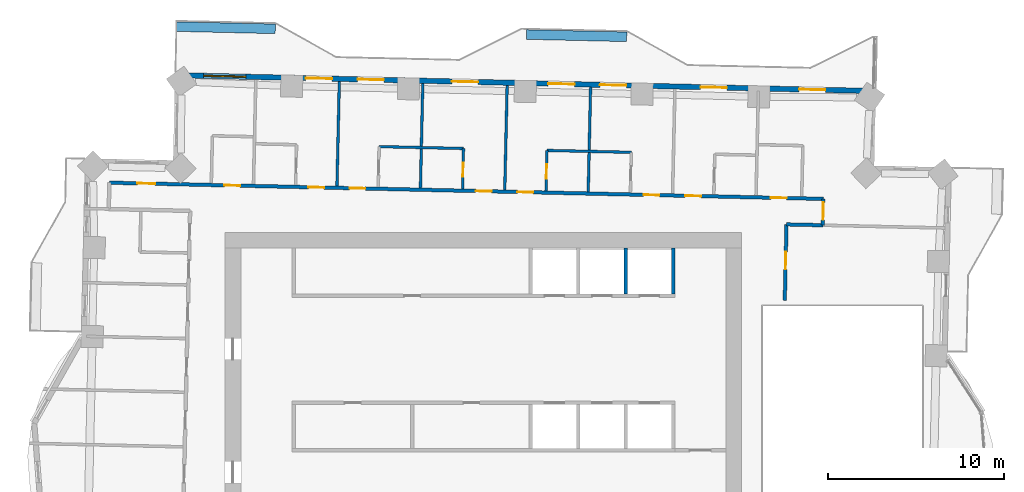
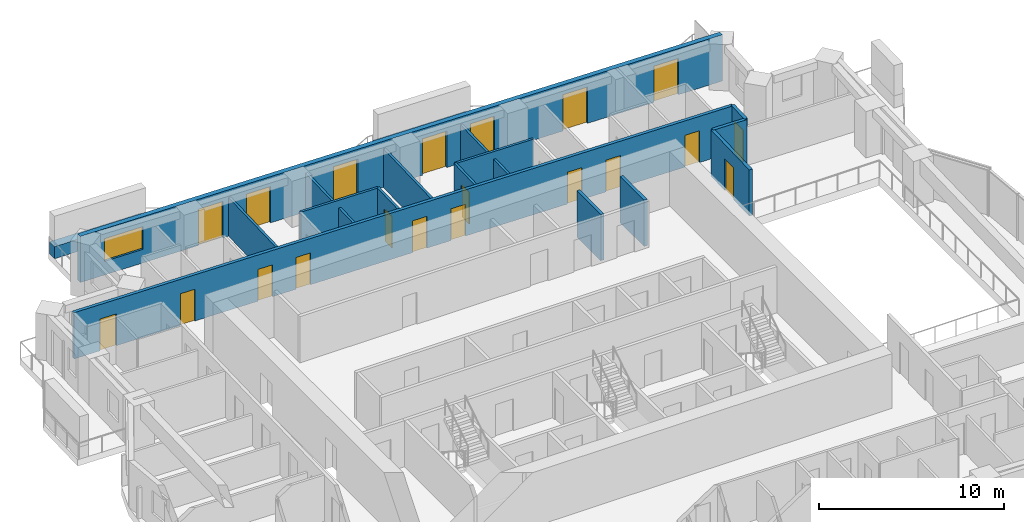
# One storey, part 9 of 14: 20 doors, 17 walls, 1 window, 21 openings.
"""IFC4 building model written with IfcOpenShell, lengths in metres."""

from ifc_helpers import new_model, si_unit, direction, frame, frame_2d, origin, place, context, subcontext, project, spatial, rectangle, extrude, material, layer, layer_set, type_object, element, fill, save


model = new_model("IFC4")

# Units and contexts
model_context = context("Model", 3, precision=1e-05, world=origin(), true_north=direction((0.0, 1.0)))
body_context = subcontext(model_context, "Body", "Model", "MODEL_VIEW")
ifc_project = project(units=[si_unit("LENGTHUNIT", "METRE"), si_unit("AREAUNIT", "SQUARE_METRE"), si_unit("VOLUMEUNIT", "CUBIC_METRE"), si_unit("PLANEANGLEUNIT", "RADIAN"), si_unit("MASSUNIT", "GRAM", prefix="KILO")], contexts=[model_context])

# Site, building, storey
site_placement = place(None, origin())
site = spatial("IfcSite", under=ifc_project, at=site_placement, CompositionType="ELEMENT")
building_placement = place(site_placement, origin())
building = spatial("IfcBuilding", under=site, at=building_placement, Name="Mangrove Gate Tower", CompositionType="ELEMENT")
storey_placement = place(building_placement, frame((0.0, 0.0, 152.699951171875)))
storey = spatial("IfcBuildingStorey", under=building, at=storey_placement, Name="L38", CompositionType="ELEMENT", Elevation=152.699951171875)

# Walls
ifc_material_1 = material(Name="Concrete C60/75", Category="concrete")
ifc_layer_1 = layer(ifc_material_1, 0.199951171875)
ifc_layer_set_1 = layer_set([ifc_layer_1], Name="Core shaft wall 200 C60/75")
wall_type_1 = type_object("IfcWallType", Name="Core shaft wall 200 C60/75", PredefinedType="SHEAR", material=ifc_layer_set_1)
for number, where, z_axis, x_axis, name in (
    (1, (8.10009765625, 8.199951171875, 0.0), (0.0, 0.0, 1.0), (0.0, 1.0, 0.0), "WALL-L38-CORE-28"),
    (2, (10.800048828125, 8.199951171875, 0.0), (0.0, 0.0, 1.0), (0.0, 1.0, 0.0), "WALL-L38-CORE-29"),
):
    element("IfcWall", number, at=place(storey_placement, frame(where, z_axis=z_axis, x_axis=x_axis)), inside=storey, type_object=wall_type_1, Name=name, PredefinedType="SHEAR", context=body_context, shape_type="SweptSolid", body=[
        extrude(rectangle(XDim=2.60009765625, YDim=0.199951171875, at=frame_2d((1.300048828125, 0.0))), origin(), (0.0, 0.0, 1.0), 3.050048828125),
    ])

# Wall, opening, door
ifc_material_2 = material(Name="Gypsum board on steel stud, EI 60", Category="steel")
ifc_layer_2 = layer(ifc_material_2, 0.199951171875)
ifc_layer_set_2 = layer_set([ifc_layer_2], Name="Corridor wall EI 60")
wall_type_2 = type_object("IfcWallType", Name="Corridor wall EI 60", PredefinedType="PARTITIONING", material=ifc_layer_set_2)
wall_1_placement = place(storey_placement, frame((17.14892578125, 7.83203125, 0.0), z_axis=(0.0, 0.0, 1.0), x_axis=(0.022729111383, 0.999741660378, 0.0)))
wall_1 = element("IfcWall", 3, at=wall_1_placement, inside=storey, type_object=wall_type_2, Name="WALL-L38-048", PredefinedType="PARTITIONING", context=body_context, shape_type="SweptSolid", body=[
    extrude(rectangle(XDim=4.318115234375, YDim=0.199951171875, at=frame_2d((2.1591796875, 0.0))), origin(), (0.0, 0.0, 1.0), 3.050048828125),
])
opening_1_placement = place(wall_1_placement, frame((1.760986328125, 0.0, 0.0)))
opening_1 = element("IfcOpeningElement", 4, at=opening_1_placement, cuts=wall_1, Name="Opening AD", PredefinedType="OPENING", context=body_context, shape_type="SweptSolid", body=[
    extrude(rectangle(XDim=1.0, YDim=2.10009765625, at=frame_2d((0.5, 1.050048828125))), frame((0.0, 0.10986328125, 0.0), z_axis=(0.0, -1.0, 0.0), x_axis=(1.0, 0.0, 0.0)), (0.0, 0.0, 1.0), 0.219970703125),
])
ifc_material_3 = material(Name="Timber door leaf", Category="wood")
door_type_1 = type_object("IfcDoorType", Name="Amenity door 1000", OperationType="SINGLE_SWING_LEFT", PredefinedType="DOOR", material=ifc_material_3)
door_1_placement = place(opening_1_placement, origin())
door_1 = element("IfcDoor", 5, at=door_1_placement, inside=storey, type_object=door_type_1, Name="DOOR-L38-LNG-c3a", OperationType="SINGLE_SWING_RIGHT", OverallHeight=2.10009765625, OverallWidth=1.0, PredefinedType="DOOR", context=body_context, shape_type="SweptSolid", body=[
    extrude(rectangle(XDim=1.0, YDim=2.10009765625, at=frame_2d((0.5, 1.050048828125))), frame((0.0, 0.02490234375, 0.0), z_axis=(0.0, -1.0, 0.0), x_axis=(1.0, 0.0, 0.0)), (0.0, 0.0, 1.0), 0.050048828125),
])
fill(opening_1, door_1)

# Wall
wall_2_placement = place(storey_placement, frame((17.248046875, 12.14892578125, 0.0), z_axis=(0.0, 0.0, 1.0), x_axis=(0.999742931749, -0.02267312106, 0.0)))
element("IfcWall", 6, at=wall_2_placement, inside=storey, type_object=wall_type_2, Name="WALL-L38-054", PredefinedType="PARTITIONING", context=body_context, shape_type="SweptSolid", body=[
    extrude(rectangle(XDim=2.0673828125, YDim=0.199951171875, at=frame_2d((1.03369140625, 0.0))), origin(), (0.0, 0.0, 1.0), 3.050048828125),
])

# Wall, opening, door
wall_3_placement = place(storey_placement, frame((19.31689453125, 12.10205078125, 0.0), z_axis=(0.0, 0.0, 1.0), x_axis=(0.02279537805, 0.999740151609, 0.0)))
wall_3 = element("IfcWall", 7, at=wall_3_placement, inside=storey, type_object=wall_type_2, Name="WALL-L38-056", PredefinedType="PARTITIONING", context=body_context, shape_type="SweptSolid", body=[
    extrude(rectangle(XDim=1.49951171875, YDim=0.199951171875, at=frame_2d((0.749755859375, 0.0))), origin(), (0.0, 0.0, 1.0), 3.050048828125),
])
opening_2_placement = place(wall_3_placement, frame((0.300048828125, 0.0, 0.0)))
opening_2 = element("IfcOpeningElement", 8, at=opening_2_placement, cuts=wall_3, Name="Opening AD", PredefinedType="OPENING", context=body_context, shape_type="SweptSolid", body=[
    extrude(rectangle(XDim=1.0, YDim=2.10009765625, at=frame_2d((0.5, 1.050048828125))), frame((0.0, 0.10986328125, 0.0), z_axis=(0.0, -1.0, 0.0), x_axis=(1.0, 0.0, 0.0)), (0.0, 0.0, 1.0), 0.219970703125),
])
door_2_placement = place(opening_2_placement, origin())
door_2 = element("IfcDoor", 9, at=door_2_placement, inside=storey, type_object=door_type_1, Name="DOOR-L38-GAM-c3a", OperationType="SINGLE_SWING_LEFT", OverallHeight=2.10009765625, OverallWidth=1.0, PredefinedType="DOOR", context=body_context, shape_type="SweptSolid", body=[
    extrude(rectangle(XDim=1.0, YDim=2.10009765625, at=frame_2d((0.5, 1.050048828125))), frame((0.0, 0.02490234375, 0.0), z_axis=(0.0, -1.0, 0.0), x_axis=(1.0, 0.0, 0.0)), (0.0, 0.0, 1.0), 0.050048828125),
])
fill(opening_2, door_2)

# Wall, openings, doors
wall_4_placement = place(storey_placement, frame((-21.279052734375, 14.52294921875, 0.0), z_axis=(0.0, 0.0, 1.0), x_axis=(0.999742669174, -0.02268469602, 0.0)))
wall_4 = element("IfcWall", 10, at=wall_4_placement, inside=storey, type_object=wall_type_2, Name="WALL-L38-057", PredefinedType="PARTITIONING", context=body_context, shape_type="SweptSolid", body=[
    extrude(rectangle(XDim=40.638671875, YDim=0.199951171875, at=frame_2d((20.3193359375, 0.0))), origin(), (0.0, 0.0, 1.0), 3.050048828125),
])
opening_3_placement = place(wall_4_placement, frame((37.64990234375, 0.0, 0.0)))
opening_3 = element("IfcOpeningElement", 11, at=opening_3_placement, cuts=wall_4, Name="Opening SD", PredefinedType="OPENING", context=body_context, shape_type="SweptSolid", body=[
    extrude(rectangle(XDim=0.89990234375, YDim=2.10009765625, at=frame_2d((0.449951171875, 1.050048828125))), frame((0.0, 0.10986328125, 0.0), z_axis=(0.0, -1.0, 0.0), x_axis=(1.0, 0.0, 0.0)), (0.0, 0.0, 1.0), 0.219970703125),
])
opening_4_placement = place(wall_4_placement, frame((32.77490234375, 0.0, 0.0)))
opening_4 = element("IfcOpeningElement", 12, at=opening_4_placement, cuts=wall_4, Name="Opening BD", PredefinedType="OPENING", context=body_context, shape_type="SweptSolid", body=[
    extrude(rectangle(XDim=0.89990234375, YDim=2.10009765625, at=frame_2d((0.449951171875, 1.050048828125))), frame((0.0, 0.10986328125, 0.0), z_axis=(0.0, -1.0, 0.0), x_axis=(1.0, 0.0, 0.0)), (0.0, 0.0, 1.0), 0.219970703125),
])
opening_5_placement = place(wall_4_placement, frame((30.39990234375, 0.0, 0.0)))
opening_5 = element("IfcOpeningElement", 13, at=opening_5_placement, cuts=wall_4, Name="Opening BD", PredefinedType="OPENING", context=body_context, shape_type="SweptSolid", body=[
    extrude(rectangle(XDim=0.89990234375, YDim=2.10009765625, at=frame_2d((0.449951171875, 1.050048828125))), frame((0.0, 0.10986328125, 0.0), z_axis=(0.0, -1.0, 0.0), x_axis=(1.0, 0.0, 0.0)), (0.0, 0.0, 1.0), 0.219970703125),
])
opening_6_placement = place(wall_4_placement, frame((23.22509765625, 0.0, 0.0)))
opening_6 = element("IfcOpeningElement", 14, at=opening_6_placement, cuts=wall_4, Name="Opening BD", PredefinedType="OPENING", context=body_context, shape_type="SweptSolid", body=[
    extrude(rectangle(XDim=0.89990234375, YDim=2.10009765625, at=frame_2d((0.449951171875, 1.050048828125))), frame((0.0, 0.10986328125, 0.0), z_axis=(0.0, -1.0, 0.0), x_axis=(1.0, 0.0, 0.0)), (0.0, 0.0, 1.0), 0.219970703125),
])
opening_7_placement = place(wall_4_placement, frame((20.85009765625, 0.0, 0.0)))
opening_7 = element("IfcOpeningElement", 15, at=opening_7_placement, cuts=wall_4, Name="Opening BD", PredefinedType="OPENING", context=body_context, shape_type="SweptSolid", body=[
    extrude(rectangle(XDim=0.89990234375, YDim=2.10009765625, at=frame_2d((0.449951171875, 1.050048828125))), frame((0.0, 0.10986328125, 0.0), z_axis=(0.0, -1.0, 0.0), x_axis=(1.0, 0.0, 0.0)), (0.0, 0.0, 1.0), 0.219970703125),
])
opening_8_placement = place(wall_4_placement, frame((13.675048828125, 0.0, 0.0)))
opening_8 = element("IfcOpeningElement", 16, at=opening_8_placement, cuts=wall_4, Name="Opening BD", PredefinedType="OPENING", context=body_context, shape_type="SweptSolid", body=[
    extrude(rectangle(XDim=0.89990234375, YDim=2.10009765625, at=frame_2d((0.449951171875, 1.050048828125))), frame((0.0, 0.10986328125, 0.0), z_axis=(0.0, -1.0, 0.0), x_axis=(1.0, 0.0, 0.0)), (0.0, 0.0, 1.0), 0.219970703125),
])
opening_9_placement = place(wall_4_placement, frame((11.324951171875, 0.0, 0.0)))
opening_9 = element("IfcOpeningElement", 17, at=opening_9_placement, cuts=wall_4, Name="Opening BD", PredefinedType="OPENING", context=body_context, shape_type="SweptSolid", body=[
    extrude(rectangle(XDim=0.89990234375, YDim=2.10009765625, at=frame_2d((0.449951171875, 1.050048828125))), frame((0.0, 0.10986328125, 0.0), z_axis=(0.0, -1.0, 0.0), x_axis=(1.0, 0.0, 0.0)), (0.0, 0.0, 1.0), 0.219970703125),
])
opening_10_placement = place(wall_4_placement, frame((1.60009765625, 0.0, 0.0)))
opening_10 = element("IfcOpeningElement", 18, at=opening_10_placement, cuts=wall_4, Name="Opening AD", PredefinedType="OPENING", context=body_context, shape_type="SweptSolid", body=[
    extrude(rectangle(XDim=1.0, YDim=2.10009765625, at=frame_2d((0.5, 1.050048828125))), frame((0.0, 0.10986328125, 0.0), z_axis=(0.0, -1.0, 0.0), x_axis=(1.0, 0.0, 0.0)), (0.0, 0.0, 1.0), 0.219970703125),
])
opening_11_placement = place(wall_4_placement, frame((6.550048828125, 0.0, 0.0)))
opening_11 = element("IfcOpeningElement", 19, at=opening_11_placement, cuts=wall_4, Name="Opening SD", PredefinedType="OPENING", context=body_context, shape_type="SweptSolid", body=[
    extrude(rectangle(XDim=0.89990234375, YDim=2.10009765625, at=frame_2d((0.449951171875, 1.050048828125))), frame((0.0, 0.10986328125, 0.0), z_axis=(0.0, -1.0, 0.0), x_axis=(1.0, 0.0, 0.0)), (0.0, 0.0, 1.0), 0.219970703125),
])
door_3_placement = place(opening_10_placement, origin())
door_3 = element("IfcDoor", 20, at=door_3_placement, inside=storey, type_object=door_type_1, Name="DOOR-L38-STU-c5a", OperationType="SINGLE_SWING_RIGHT", OverallHeight=2.10009765625, OverallWidth=1.0, PredefinedType="DOOR", context=body_context, shape_type="SweptSolid", body=[
    extrude(rectangle(XDim=1.0, YDim=2.10009765625, at=frame_2d((0.5, 1.050048828125))), frame((0.0, 0.02490234375, 0.0), z_axis=(0.0, -1.0, 0.0), x_axis=(1.0, 0.0, 0.0)), (0.0, 0.0, 1.0), 0.050048828125),
])
fill(opening_10, door_3)
ifc_material_4 = material(Name="Timber door leaf", Category="wood")
door_type_2 = type_object("IfcDoorType", Name="Bedroom door 900", OperationType="SINGLE_SWING_LEFT", PredefinedType="DOOR", material=ifc_material_4)
door_4_placement = place(opening_4_placement, origin())
door_4 = element("IfcDoor", 21, at=door_4_placement, inside=storey, type_object=door_type_2, Name="DOOR-L38-BED-c309", OperationType="SINGLE_SWING_LEFT", OverallHeight=2.10009765625, OverallWidth=0.89990234375, PredefinedType="DOOR", context=body_context, shape_type="SweptSolid", body=[
    extrude(rectangle(XDim=0.89990234375, YDim=2.10009765625, at=frame_2d((0.449951171875, 1.050048828125))), frame((0.0, 0.02490234375, 0.0), z_axis=(0.0, -1.0, 0.0), x_axis=(1.0, 0.0, 0.0)), (0.0, 0.0, 1.0), 0.050048828125),
])
fill(opening_4, door_4)
door_5_placement = place(opening_5_placement, origin())
door_5 = element("IfcDoor", 22, at=door_5_placement, inside=storey, type_object=door_type_2, Name="DOOR-L38-BED-c410", OperationType="SINGLE_SWING_RIGHT", OverallHeight=2.10009765625, OverallWidth=0.89990234375, PredefinedType="DOOR", context=body_context, shape_type="SweptSolid", body=[
    extrude(rectangle(XDim=0.89990234375, YDim=2.10009765625, at=frame_2d((0.449951171875, 1.050048828125))), frame((0.0, 0.02490234375, 0.0), z_axis=(0.0, -1.0, 0.0), x_axis=(1.0, 0.0, 0.0)), (0.0, 0.0, 1.0), 0.050048828125),
])
fill(opening_5, door_5)
door_6_placement = place(opening_6_placement, origin())
door_6 = element("IfcDoor", 23, at=door_6_placement, inside=storey, type_object=door_type_2, Name="DOOR-L38-BED-c411", OperationType="SINGLE_SWING_LEFT", OverallHeight=2.10009765625, OverallWidth=0.89990234375, PredefinedType="DOOR", context=body_context, shape_type="SweptSolid", body=[
    extrude(rectangle(XDim=0.89990234375, YDim=2.10009765625, at=frame_2d((0.449951171875, 1.050048828125))), frame((0.0, 0.02490234375, 0.0), z_axis=(0.0, -1.0, 0.0), x_axis=(1.0, 0.0, 0.0)), (0.0, 0.0, 1.0), 0.050048828125),
])
fill(opening_6, door_6)
door_7_placement = place(opening_7_placement, origin())
door_7 = element("IfcDoor", 24, at=door_7_placement, inside=storey, type_object=door_type_2, Name="DOOR-L38-BED-c412", OperationType="SINGLE_SWING_RIGHT", OverallHeight=2.10009765625, OverallWidth=0.89990234375, PredefinedType="DOOR", context=body_context, shape_type="SweptSolid", body=[
    extrude(rectangle(XDim=0.89990234375, YDim=2.10009765625, at=frame_2d((0.449951171875, 1.050048828125))), frame((0.0, 0.02490234375, 0.0), z_axis=(0.0, -1.0, 0.0), x_axis=(1.0, 0.0, 0.0)), (0.0, 0.0, 1.0), 0.050048828125),
])
fill(opening_7, door_7)
door_8_placement = place(opening_8_placement, origin())
door_8 = element("IfcDoor", 25, at=door_8_placement, inside=storey, type_object=door_type_2, Name="DOOR-L38-BED-c513", OperationType="SINGLE_SWING_LEFT", OverallHeight=2.10009765625, OverallWidth=0.89990234375, PredefinedType="DOOR", context=body_context, shape_type="SweptSolid", body=[
    extrude(rectangle(XDim=0.89990234375, YDim=2.10009765625, at=frame_2d((0.449951171875, 1.050048828125))), frame((0.0, 0.02490234375, 0.0), z_axis=(0.0, -1.0, 0.0), x_axis=(1.0, 0.0, 0.0)), (0.0, 0.0, 1.0), 0.050048828125),
])
fill(opening_8, door_8)
door_9_placement = place(opening_9_placement, origin())
door_9 = element("IfcDoor", 26, at=door_9_placement, inside=storey, type_object=door_type_2, Name="DOOR-L38-BED-c514", OperationType="SINGLE_SWING_RIGHT", OverallHeight=2.10009765625, OverallWidth=0.89990234375, PredefinedType="DOOR", context=body_context, shape_type="SweptSolid", body=[
    extrude(rectangle(XDim=0.89990234375, YDim=2.10009765625, at=frame_2d((0.449951171875, 1.050048828125))), frame((0.0, 0.02490234375, 0.0), z_axis=(0.0, -1.0, 0.0), x_axis=(1.0, 0.0, 0.0)), (0.0, 0.0, 1.0), 0.050048828125),
])
fill(opening_9, door_9)
ifc_material_5 = material(Name="Timber door leaf", Category="wood")
door_type_3 = type_object("IfcDoorType", Name="Service room door 900", OperationType="SINGLE_SWING_LEFT", PredefinedType="DOOR", material=ifc_material_5)
door_10_placement = place(opening_3_placement, origin())
door_10 = element("IfcDoor", 27, at=door_10_placement, inside=storey, type_object=door_type_3, Name="DOOR-L38-AWC-c3b", OperationType="SINGLE_SWING_LEFT", OverallHeight=2.10009765625, OverallWidth=0.89990234375, PredefinedType="DOOR", context=body_context, shape_type="SweptSolid", body=[
    extrude(rectangle(XDim=0.89990234375, YDim=2.10009765625, at=frame_2d((0.449951171875, 1.050048828125))), frame((0.0, 0.02490234375, 0.0), z_axis=(0.0, -1.0, 0.0), x_axis=(1.0, 0.0, 0.0)), (0.0, 0.0, 1.0), 0.050048828125),
])
fill(opening_3, door_10)
door_11_placement = place(opening_11_placement, origin())
door_11 = element("IfcDoor", 28, at=door_11_placement, inside=storey, type_object=door_type_3, Name="DOOR-L38-WC-c5a", OperationType="SINGLE_SWING_RIGHT", OverallHeight=2.10009765625, OverallWidth=0.89990234375, PredefinedType="DOOR", context=body_context, shape_type="SweptSolid", body=[
    extrude(rectangle(XDim=0.89990234375, YDim=2.10009765625, at=frame_2d((0.449951171875, 1.050048828125))), frame((0.0, 0.02490234375, 0.0), z_axis=(0.0, -1.0, 0.0), x_axis=(1.0, 0.0, 0.0)), (0.0, 0.0, 1.0), 0.050048828125),
])
fill(opening_11, door_11)

# Wall, openings, doors, window
ifc_material_6 = material(Name="Limestone", Category="masonry")
ifc_layer_3 = layer(ifc_material_6, 0.0400390625, Name="Limestone cladding")
ifc_material_7 = material(Name="Ventilated air gap")
ifc_layer_4 = layer(ifc_material_7, 0.0400390625, Name="Ventilated cavity")
ifc_material_8 = material(Name="Mineral wool insulation")
ifc_layer_5 = layer(ifc_material_8, 0.06005859375, Name="Insulation")
ifc_material_9 = material(Name="Breather membrane")
ifc_layer_6 = layer(ifc_material_9, 0.001953125, Name="Breather membrane")
ifc_material_10 = material(Name="Concrete C20/25 blockwork", Category="masonry")
ifc_layer_7 = layer(ifc_material_10, 0.14990234375, Name="Blockwork backing wall")
ifc_material_11 = material(Name="Gypsum plaster")
ifc_layer_8 = layer(ifc_material_11, 0.008056640625, Name="Internal plaster")
ifc_layer_set_3 = layer_set([ifc_layer_3, ifc_layer_4, ifc_layer_5, ifc_layer_6, ifc_layer_7, ifc_layer_8], Name="External wall 300 limestone cladding")
wall_type_3 = type_object("IfcWallType", Name="External wall 300 limestone cladding", PredefinedType="SOLIDWALL", material=ifc_layer_set_3)
wall_5_placement = place(storey_placement, frame((22.180908203125, 19.739013671875, 0.0), z_axis=(0.0, 0.0, 1.0), x_axis=(-0.999742618326, 0.022686936846, 0.0)))
wall_5 = element("IfcWall", 29, at=wall_5_placement, inside=storey, type_object=wall_type_3, Name="WALL-L38-N5", PredefinedType="SOLIDWALL", context=body_context, shape_type="SweptSolid", body=[
    extrude(rectangle(XDim=39.580078125, YDim=0.300048828125, at=frame_2d((19.7900390625, 0.0))), origin(), (0.0, 0.0, 1.0), 3.050048828125),
])
opening_12_placement = place(wall_5_placement, frame((2.716064453125, 0.0, 0.0)))
opening_12 = element("IfcOpeningElement", 30, at=opening_12_placement, cuts=wall_5, Name="Opening BD1", PredefinedType="OPENING", context=body_context, shape_type="SweptSolid", body=[
    extrude(rectangle(XDim=1.5, YDim=2.39990234375, at=frame_2d((0.75, 1.199951171875))), frame((0.0, 0.159912109375, 0.0), z_axis=(0.0, -1.0, 0.0), x_axis=(1.0, 0.0, 0.0)), (0.0, 0.0, 1.0), 0.320068359375),
])
opening_13_placement = place(wall_5_placement, frame((8.325927734375, 0.0, 0.0)))
opening_13 = element("IfcOpeningElement", 31, at=opening_13_placement, cuts=wall_5, Name="Opening BD1", PredefinedType="OPENING", context=body_context, shape_type="SweptSolid", body=[
    extrude(rectangle(XDim=1.5, YDim=2.39990234375, at=frame_2d((0.75, 1.199951171875))), frame((0.0, 0.159912109375, 0.0), z_axis=(0.0, -1.0, 0.0), x_axis=(1.0, 0.0, 0.0)), (0.0, 0.0, 1.0), 0.320068359375),
])
opening_14_placement = place(wall_5_placement, frame((14.049072265625, 0.0, 0.0)))
opening_14 = element("IfcOpeningElement", 32, at=opening_14_placement, cuts=wall_5, Name="Opening BD1", PredefinedType="OPENING", context=body_context, shape_type="SweptSolid", body=[
    extrude(rectangle(XDim=1.5, YDim=2.39990234375, at=frame_2d((0.75, 1.199951171875))), frame((0.0, 0.159912109375, 0.0), z_axis=(0.0, -1.0, 0.0), x_axis=(1.0, 0.0, 0.0)), (0.0, 0.0, 1.0), 0.320068359375),
])
opening_15_placement = place(wall_5_placement, frame((16.998046875, 0.0, 0.0)))
opening_15 = element("IfcOpeningElement", 33, at=opening_15_placement, cuts=wall_5, Name="Opening BD1", PredefinedType="OPENING", context=body_context, shape_type="SweptSolid", body=[
    extrude(rectangle(XDim=1.5, YDim=2.39990234375, at=frame_2d((0.75, 1.199951171875))), frame((0.0, 0.159912109375, 0.0), z_axis=(0.0, -1.0, 0.0), x_axis=(1.0, 0.0, 0.0)), (0.0, 0.0, 1.0), 0.320068359375),
])
opening_16_placement = place(wall_5_placement, frame((22.47998046875, 0.0, 0.0)))
opening_16 = element("IfcOpeningElement", 34, at=opening_16_placement, cuts=wall_5, Name="Opening BD1", PredefinedType="OPENING", context=body_context, shape_type="SweptSolid", body=[
    extrude(rectangle(XDim=1.5, YDim=2.39990234375, at=frame_2d((0.75, 1.199951171875))), frame((0.0, 0.159912109375, 0.0), z_axis=(0.0, -1.0, 0.0), x_axis=(1.0, 0.0, 0.0)), (0.0, 0.0, 1.0), 0.320068359375),
])
opening_17_placement = place(wall_5_placement, frame((27.845947265625, 0.0, 0.0)))
opening_17 = element("IfcOpeningElement", 35, at=opening_17_placement, cuts=wall_5, Name="Opening BD1", PredefinedType="OPENING", context=body_context, shape_type="SweptSolid", body=[
    extrude(rectangle(XDim=1.5, YDim=2.39990234375, at=frame_2d((0.75, 1.199951171875))), frame((0.0, 0.159912109375, 0.0), z_axis=(0.0, -1.0, 0.0), x_axis=(1.0, 0.0, 0.0)), (0.0, 0.0, 1.0), 0.320068359375),
])
opening_18_placement = place(wall_5_placement, frame((30.7939453125, 0.0, 0.0)))
opening_18 = element("IfcOpeningElement", 36, at=opening_18_placement, cuts=wall_5, Name="Opening BD1", PredefinedType="OPENING", context=body_context, shape_type="SweptSolid", body=[
    extrude(rectangle(XDim=1.5, YDim=2.39990234375, at=frame_2d((0.75, 1.199951171875))), frame((0.0, 0.159912109375, 0.0), z_axis=(0.0, -1.0, 0.0), x_axis=(1.0, 0.0, 0.0)), (0.0, 0.0, 1.0), 0.320068359375),
])
opening_19_placement = place(wall_5_placement, frame((35.705078125, 0.0, 0.89990234375)))
opening_19 = element("IfcOpeningElement", 37, at=opening_19_placement, cuts=wall_5, Name="Opening W2", PredefinedType="OPENING", context=body_context, shape_type="SweptSolid", body=[
    extrude(rectangle(XDim=2.39990234375, YDim=1.5, at=frame_2d((1.199951171875, 0.75))), frame((0.0, 0.159912109375, 0.0), z_axis=(0.0, -1.0, 0.0), x_axis=(1.0, 0.0, 0.0)), (0.0, 0.0, 1.0), 0.320068359375),
])
ifc_material_12 = material(Name="Aluminium frame with laminated clear glass", Category="aluminium")
door_type_4 = type_object("IfcDoorType", Name="Balcony sliding door 1500x2400", OperationType="SLIDING_TO_LEFT", PredefinedType="DOOR", material=ifc_material_12)
door_12_placement = place(opening_12_placement, origin())
door_12 = element("IfcDoor", 38, at=door_12_placement, inside=storey, type_object=door_type_4, Name="DOOR-L38-N5-1", OperationType="SLIDING_TO_LEFT", OverallHeight=2.39990234375, OverallWidth=1.5, PredefinedType="DOOR", context=body_context, shape_type="SweptSolid", body=[
    extrude(rectangle(XDim=1.5, YDim=2.39990234375, at=frame_2d((0.75, 1.199951171875))), frame((0.0, 0.02490234375, 0.0), z_axis=(0.0, -1.0, 0.0), x_axis=(1.0, 0.0, 0.0)), (0.0, 0.0, 1.0), 0.050048828125),
])
fill(opening_12, door_12)
door_13_placement = place(opening_13_placement, origin())
door_13 = element("IfcDoor", 39, at=door_13_placement, inside=storey, type_object=door_type_4, Name="DOOR-L38-N5-2", OperationType="SLIDING_TO_LEFT", OverallHeight=2.39990234375, OverallWidth=1.5, PredefinedType="DOOR", context=body_context, shape_type="SweptSolid", body=[
    extrude(rectangle(XDim=1.5, YDim=2.39990234375, at=frame_2d((0.75, 1.199951171875))), frame((0.0, 0.02490234375, 0.0), z_axis=(0.0, -1.0, 0.0), x_axis=(1.0, 0.0, 0.0)), (0.0, 0.0, 1.0), 0.050048828125),
])
fill(opening_13, door_13)
door_14_placement = place(opening_14_placement, origin())
door_14 = element("IfcDoor", 40, at=door_14_placement, inside=storey, type_object=door_type_4, Name="DOOR-L38-N5-3", OperationType="SLIDING_TO_LEFT", OverallHeight=2.39990234375, OverallWidth=1.5, PredefinedType="DOOR", context=body_context, shape_type="SweptSolid", body=[
    extrude(rectangle(XDim=1.5, YDim=2.39990234375, at=frame_2d((0.75, 1.199951171875))), frame((0.0, 0.02490234375, 0.0), z_axis=(0.0, -1.0, 0.0), x_axis=(1.0, 0.0, 0.0)), (0.0, 0.0, 1.0), 0.050048828125),
])
fill(opening_14, door_14)
door_15_placement = place(opening_15_placement, origin())
door_15 = element("IfcDoor", 41, at=door_15_placement, inside=storey, type_object=door_type_4, Name="DOOR-L38-N5-4", OperationType="SLIDING_TO_LEFT", OverallHeight=2.39990234375, OverallWidth=1.5, PredefinedType="DOOR", context=body_context, shape_type="SweptSolid", body=[
    extrude(rectangle(XDim=1.5, YDim=2.39990234375, at=frame_2d((0.75, 1.199951171875))), frame((0.0, 0.02490234375, 0.0), z_axis=(0.0, -1.0, 0.0), x_axis=(1.0, 0.0, 0.0)), (0.0, 0.0, 1.0), 0.050048828125),
])
fill(opening_15, door_15)
door_16_placement = place(opening_16_placement, origin())
door_16 = element("IfcDoor", 42, at=door_16_placement, inside=storey, type_object=door_type_4, Name="DOOR-L38-N5-5", OperationType="SLIDING_TO_LEFT", OverallHeight=2.39990234375, OverallWidth=1.5, PredefinedType="DOOR", context=body_context, shape_type="SweptSolid", body=[
    extrude(rectangle(XDim=1.5, YDim=2.39990234375, at=frame_2d((0.75, 1.199951171875))), frame((0.0, 0.02490234375, 0.0), z_axis=(0.0, -1.0, 0.0), x_axis=(1.0, 0.0, 0.0)), (0.0, 0.0, 1.0), 0.050048828125),
])
fill(opening_16, door_16)
door_17_placement = place(opening_17_placement, origin())
door_17 = element("IfcDoor", 43, at=door_17_placement, inside=storey, type_object=door_type_4, Name="DOOR-L38-N5-6", OperationType="SLIDING_TO_LEFT", OverallHeight=2.39990234375, OverallWidth=1.5, PredefinedType="DOOR", context=body_context, shape_type="SweptSolid", body=[
    extrude(rectangle(XDim=1.5, YDim=2.39990234375, at=frame_2d((0.75, 1.199951171875))), frame((0.0, 0.02490234375, 0.0), z_axis=(0.0, -1.0, 0.0), x_axis=(1.0, 0.0, 0.0)), (0.0, 0.0, 1.0), 0.050048828125),
])
fill(opening_17, door_17)
door_18_placement = place(opening_18_placement, origin())
door_18 = element("IfcDoor", 44, at=door_18_placement, inside=storey, type_object=door_type_4, Name="DOOR-L38-N5-7", OperationType="SLIDING_TO_LEFT", OverallHeight=2.39990234375, OverallWidth=1.5, PredefinedType="DOOR", context=body_context, shape_type="SweptSolid", body=[
    extrude(rectangle(XDim=1.5, YDim=2.39990234375, at=frame_2d((0.75, 1.199951171875))), frame((0.0, 0.02490234375, 0.0), z_axis=(0.0, -1.0, 0.0), x_axis=(1.0, 0.0, 0.0)), (0.0, 0.0, 1.0), 0.050048828125),
])
fill(opening_18, door_18)
ifc_material_13 = material(Name="Aluminium frame with double-glazed low-e glass", Category="aluminium")
window_type = type_object("IfcWindowType", Name="Corner room window 2400x1500", PartitioningType="DOUBLE_PANEL_VERTICAL", PredefinedType="WINDOW", material=ifc_material_13)
window_placement = place(opening_19_placement, origin())
window = element("IfcWindow", 45, at=window_placement, inside=storey, type_object=window_type, Name="WIN-L38-N5-8", OverallHeight=1.5, OverallWidth=2.39990234375, PartitioningType="DOUBLE_PANEL_VERTICAL", PredefinedType="WINDOW", context=body_context, shape_type="SweptSolid", body=[
    extrude(rectangle(XDim=2.39990234375, YDim=1.5, at=frame_2d((1.199951171875, 0.75))), frame((0.0, 0.030029296875, 0.0), z_axis=(0.0, -1.0, 0.0), x_axis=(1.0, 0.0, 0.0)), (0.0, 0.0, 1.0), 0.06005859375),
])
fill(opening_19, window)

# Walls
ifc_material_14 = material(Name="Gypsum board on steel stud, EI 60", Category="steel")
ifc_layer_9 = layer(ifc_material_14, 0.14990234375)
ifc_layer_set_4 = layer_set([ifc_layer_9], Name="Party wall 150 EI 60")
wall_type_4 = type_object("IfcWallType", Name="Party wall 150 EI 60", PredefinedType="PARTITIONING", material=ifc_layer_set_4)
for number, where, z_axis, x_axis, name in (
    (46, (-8.330078125, 14.3291015625, 0.0), (0.0, 0.0, 1.0), (0.022688785847, 0.999742576365, 0.0), "WALL-L38-061"),
    (47, (-3.5810546875, 14.221923828125, 0.0), (0.0, 0.0, 1.0), (0.022688785847, 0.999742576365, 0.0), "WALL-L38-063"),
):
    element("IfcWall", number, at=place(storey_placement, frame(where, z_axis=z_axis, x_axis=x_axis)), inside=storey, type_object=wall_type_4, Name=name, PredefinedType="PARTITIONING", context=body_context, shape_type="SweptSolid", body=[
        extrude(rectangle(XDim=5.950439453125, YDim=0.14990234375, at=frame_2d((2.97509765625, 0.0))), origin(), (0.0, 0.0, 1.0), 2.550048828125),
    ])

# Wall, opening, door
wall_6_placement = place(storey_placement, frame((-1.181884765625, 14.1669921875, 0.0), z_axis=(0.0, 0.0, 1.0), x_axis=(0.022603288534, 0.999744513037, 0.0)))
wall_6 = element("IfcWall", 48, at=wall_6_placement, inside=storey, type_object=wall_type_4, Name="WALL-L38-064", PredefinedType="PARTITIONING", context=body_context, shape_type="SweptSolid", body=[
    extrude(rectangle(XDim=2.300537109375, YDim=0.14990234375, at=frame_2d((1.150390625, 0.0))), origin(), (0.0, 0.0, 1.0), 3.050048828125),
])
opening_20_placement = place(wall_6_placement, frame((0.699951171875, 0.0, 0.0)))
opening_20 = element("IfcOpeningElement", 49, at=opening_20_placement, cuts=wall_6, Name="Opening ED", PredefinedType="OPENING", context=body_context, shape_type="SweptSolid", body=[
    extrude(rectangle(XDim=0.800048828125, YDim=2.10009765625, at=frame_2d((0.39990234375, 1.050048828125))), frame((0.0, 0.0849609375, 0.0), z_axis=(0.0, -1.0, 0.0), x_axis=(1.0, 0.0, 0.0)), (0.0, 0.0, 1.0), 0.169921875),
])
ifc_material_15 = material(Name="Timber door leaf", Category="wood")
door_type_5 = type_object("IfcDoorType", Name="En-suite door 800", OperationType="SINGLE_SWING_LEFT", PredefinedType="DOOR", material=ifc_material_15)
door_19_placement = place(opening_20_placement, origin())
door_19 = element("IfcDoor", 50, at=door_19_placement, inside=storey, type_object=door_type_5, Name="DOOR-L38-ENS-c412", OperationType="SINGLE_SWING_RIGHT", OverallHeight=2.10009765625, OverallWidth=0.800048828125, PredefinedType="DOOR", context=body_context, shape_type="SweptSolid", body=[
    extrude(rectangle(XDim=0.800048828125, YDim=2.10009765625, at=frame_2d((0.39990234375, 1.050048828125))), frame((0.0, 0.02490234375, 0.0), z_axis=(0.0, -1.0, 0.0), x_axis=(1.0, 0.0, 0.0)), (0.0, 0.0, 1.0), 0.050048828125),
])
fill(opening_20, door_19)

# Wall
wall_7_placement = place(storey_placement, frame((1.218017578125, 14.113037109375, 0.0), z_axis=(0.0, 0.0, 1.0), x_axis=(0.022688785847, 0.999742576365, 0.0)))
element("IfcWall", 51, at=wall_7_placement, inside=storey, type_object=wall_type_4, Name="WALL-L38-065", PredefinedType="PARTITIONING", context=body_context, shape_type="SweptSolid", body=[
    extrude(rectangle(XDim=5.950439453125, YDim=0.14990234375, at=frame_2d((2.97509765625, 0.0))), origin(), (0.0, 0.0, 1.0), 2.550048828125),
])

# Wall, opening, door
wall_8_placement = place(storey_placement, frame((3.56689453125, 14.05908203125, 0.0), z_axis=(0.0, 0.0, 1.0), x_axis=(0.022605686808, 0.999744458811, 0.0)))
wall_8 = element("IfcWall", 52, at=wall_8_placement, inside=storey, type_object=wall_type_4, Name="WALL-L38-066", PredefinedType="PARTITIONING", context=body_context, shape_type="SweptSolid", body=[
    extrude(rectangle(XDim=2.30029296875, YDim=0.14990234375, at=frame_2d((1.150146484375, 0.0))), origin(), (0.0, 0.0, 1.0), 3.050048828125),
])
opening_21_placement = place(wall_8_placement, frame((0.699951171875, 0.0, 0.0)))
opening_21 = element("IfcOpeningElement", 53, at=opening_21_placement, cuts=wall_8, Name="Opening ED", PredefinedType="OPENING", context=body_context, shape_type="SweptSolid", body=[
    extrude(rectangle(XDim=0.800048828125, YDim=2.10009765625, at=frame_2d((0.39990234375, 1.050048828125))), frame((0.0, 0.0849609375, 0.0), z_axis=(0.0, -1.0, 0.0), x_axis=(1.0, 0.0, 0.0)), (0.0, 0.0, 1.0), 0.169921875),
])
door_20_placement = place(opening_21_placement, origin())
door_20 = element("IfcDoor", 54, at=door_20_placement, inside=storey, type_object=door_type_5, Name="DOOR-L38-ENS-c411", OperationType="SINGLE_SWING_LEFT", OverallHeight=2.10009765625, OverallWidth=0.800048828125, PredefinedType="DOOR", context=body_context, shape_type="SweptSolid", body=[
    extrude(rectangle(XDim=0.800048828125, YDim=2.10009765625, at=frame_2d((0.39990234375, 1.050048828125))), frame((0.0, 0.02490234375, 0.0), z_axis=(0.0, -1.0, 0.0), x_axis=(1.0, 0.0, 0.0)), (0.0, 0.0, 1.0), 0.050048828125),
])
fill(opening_21, door_20)

# Walls
wall_9_placement = place(storey_placement, frame((5.966064453125, 14.0048828125, 0.0), z_axis=(0.0, 0.0, 1.0), x_axis=(0.022687855237, 0.999742597484, 0.0)))
element("IfcWall", 55, at=wall_9_placement, inside=storey, type_object=wall_type_4, Name="WALL-L38-067", PredefinedType="PARTITIONING", context=body_context, shape_type="SweptSolid", body=[
    extrude(rectangle(XDim=5.95068359375, YDim=0.14990234375, at=frame_2d((2.975341796875, 0.0))), origin(), (0.0, 0.0, 1.0), 2.550048828125),
])
wall_10_placement = place(storey_placement, frame((-5.927978515625, 16.574951171875, 0.0), z_axis=(0.0, 0.0, 1.0), x_axis=(0.999747191239, -0.022484519337, 0.0)))
element("IfcWall", 56, at=wall_10_placement, inside=storey, type_object=wall_type_4, Name="WALL-L38-074", PredefinedType="PARTITIONING", context=body_context, shape_type="SweptSolid", body=[
    extrude(rectangle(XDim=4.79931640625, YDim=0.14990234375, at=frame_2d((2.399658203125, 0.0))), origin(), (0.0, 0.0, 1.0), 3.050048828125),
])
wall_11_placement = place(storey_placement, frame((3.618896484375, 16.35888671875, 0.0), z_axis=(0.0, 0.0, 1.0), x_axis=(0.999742701292, -0.022683280499, 0.0)))
element("IfcWall", 57, at=wall_11_placement, inside=storey, type_object=wall_type_4, Name="WALL-L38-075", PredefinedType="PARTITIONING", context=body_context, shape_type="SweptSolid", body=[
    extrude(rectangle(XDim=4.80029296875, YDim=0.14990234375, at=frame_2d((2.400146484375, 0.0))), origin(), (0.0, 0.0, 1.0), 3.050048828125),
])
ifc_material_16 = material(Name="Concrete C32/40", Category="concrete")
ifc_layer_10 = layer(ifc_material_16, 0.199951171875, Name="Planter trough wall")
ifc_material_17 = material(Name="Bituminous waterproofing membrane")
ifc_layer_11 = layer(ifc_material_17, 0.0048828125, Name="Waterproofing")
ifc_material_18 = material(Name="Drainage board and gravel")
ifc_layer_12 = layer(ifc_material_18, 0.044921875, Name="Drainage layer")
ifc_material_19 = material(Name="Planting soil")
ifc_layer_13 = layer(ifc_material_19, 0.300048828125, Name="Growing medium")
ifc_layer_set_5 = layer_set([ifc_layer_10, ifc_layer_11, ifc_layer_12, ifc_layer_13], Name="Planter wall 550 C32/40")
wall_type_5 = type_object("IfcWallType", Name="Planter wall 550 C32/40", PredefinedType="USERDEFINED", material=ifc_layer_set_5)
wall_12_placement = place(storey_placement, frame((2.458984375, 22.951904296875, 0.0), z_axis=(0.0, 0.0, 1.0), x_axis=(0.999744196375, -0.022617290187, 0.0)))
element("IfcWall", 58, at=wall_12_placement, inside=storey, type_object=wall_type_5, Name="PLANTER L38 N0.1", ObjectType="PLANTER", PredefinedType="USERDEFINED", context=body_context, shape_type="SweptSolid", body=[
    extrude(rectangle(XDim=5.699462890625, YDim=0.550048828125, at=frame_2d((2.849609375, 0.0))), origin(), (0.0, 0.0, 1.0), 0.800048828125),
])
wall_13_placement = place(storey_placement, frame((-17.47607421875, 23.404052734375, 0.0), z_axis=(0.0, 0.0, 1.0), x_axis=(0.999741701433, -0.022727305502, 0.0)))
element("IfcWall", 59, at=wall_13_placement, inside=storey, type_object=wall_type_5, Name="PLANTER L38 N1.1", ObjectType="PLANTER", PredefinedType="USERDEFINED", context=body_context, shape_type="SweptSolid", body=[
    extrude(rectangle(XDim=5.6396484375, YDim=0.550048828125, at=frame_2d((2.81982421875, 0.0))), origin(), (0.0, 0.0, 1.0), 0.800048828125),
])

save(model, "model.ifc")
